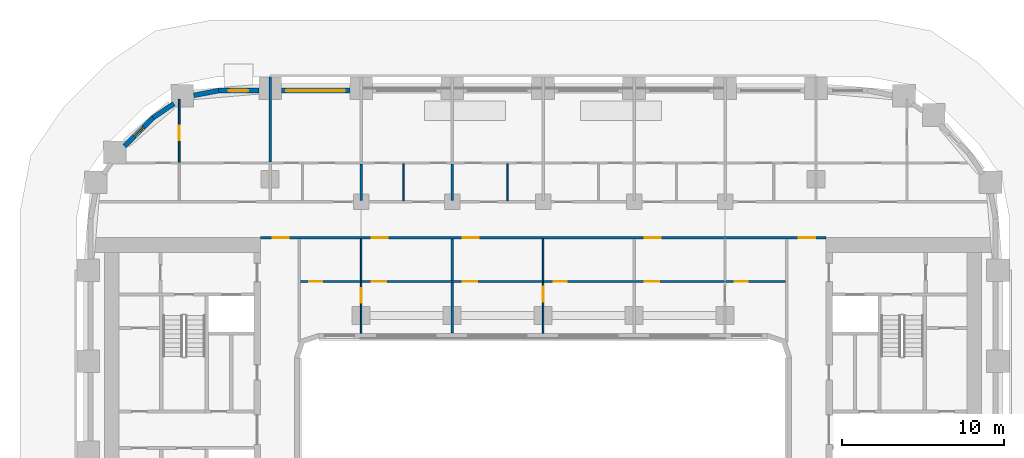
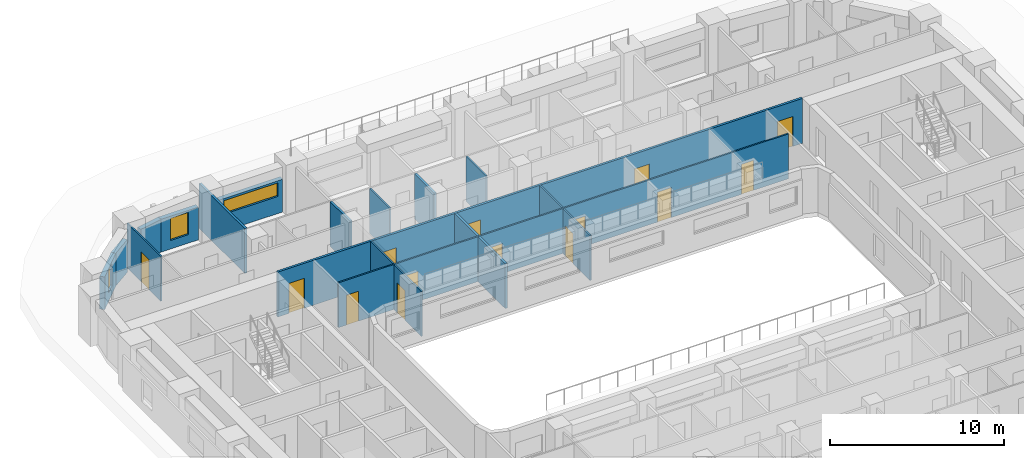
# One storey, part 8 of 18: 19 walls, 14 doors, 3 windows, 17 openings.
"""IFC4 building model written with IfcOpenShell, lengths in metres."""

from ifc_helpers import new_model, si_unit, direction, frame, frame_2d, origin, place, context, subcontext, project, spatial, rectangle, extrude, material, layer, layer_set, type_object, element, fill, save


model = new_model("IFC4")

# Units and contexts
model_context = context("Model", 3, precision=1e-05, world=origin(), true_north=direction((0.0, 1.0)))
body_context = subcontext(model_context, "Body", "Model", "MODEL_VIEW")
ifc_project = project(units=[si_unit("LENGTHUNIT", "METRE"), si_unit("AREAUNIT", "SQUARE_METRE"), si_unit("VOLUMEUNIT", "CUBIC_METRE"), si_unit("PLANEANGLEUNIT", "RADIAN"), si_unit("MASSUNIT", "GRAM", prefix="KILO")], contexts=[model_context])

# Site, building, storey
site_placement = place(None, origin())
site = spatial("IfcSite", under=ifc_project, at=site_placement, CompositionType="ELEMENT")
building_placement = place(site_placement, origin())
building = spatial("IfcBuilding", under=site, at=building_placement, Name="Kiln Ring Residences", CompositionType="ELEMENT")
storey_placement = place(building_placement, frame((0.0, 0.0, 69.0)))
storey = spatial("IfcBuildingStorey", under=building, at=storey_placement, Name="L17", CompositionType="ELEMENT", Elevation=69.0)

# Wall, opening, window
ifc_material_1 = material(Name="Brick masonry, dark clay brick", Category="masonry")
ifc_layer_1 = layer(ifc_material_1, 0.300048828125)
ifc_layer_set_1 = layer_set([ifc_layer_1], Name="EW-300 BRICK WALL")
wall_type_1 = type_object("IfcWallType", Name="EW-300 BRICK WALL", PredefinedType="SOLIDWALL", material=ifc_layer_set_1)
wall_1_placement = place(storey_placement, frame((-11.89990234375, 22.25, 0.0), z_axis=(0.0, 0.0, 1.0), x_axis=(-1.0, 0.0, 0.0)))
wall_1 = element("IfcWall", 1, at=wall_1_placement, inside=storey, type_object=wall_type_1, Name="Facade wall L17 34", PredefinedType="SOLIDWALL", context=body_context, shape_type="SweptSolid", body=[
    extrude(rectangle(XDim=4.2001953125, YDim=0.300048828125, at=frame_2d((2.10009765625, 0.0))), origin(), (0.0, 0.0, 1.0), 2.300048828125),
])
opening_1_placement = place(wall_1_placement, frame((0.300048828125, 0.0, 1.199951171875)))
opening_1 = element("IfcOpeningElement", 2, at=opening_1_placement, cuts=wall_1, Name="Opening W4", PredefinedType="OPENING", context=body_context, shape_type="SweptSolid", body=[
    extrude(rectangle(XDim=3.60009765625, YDim=0.949951171875, at=frame_2d((1.800048828125, 0.47509765625))), frame((0.0, 0.159912109375, 0.0), z_axis=(0.0, -1.0, 0.0), x_axis=(1.0, 0.0, 0.0)), (0.0, 0.0, 1.0), 0.320068359375),
])
ifc_material_2 = material(Name="Aluminium frame with double glazing", Category="aluminium")
window_type_1 = type_object("IfcWindowType", Name="WINDOW 3600 x 950", PartitioningType="SINGLE_PANEL", PredefinedType="WINDOW", material=ifc_material_2)
window_1_placement = place(opening_1_placement, origin())
window_1 = element("IfcWindow", 3, at=window_1_placement, inside=storey, type_object=window_type_1, Name="Window L17 19", OverallHeight=0.949951171875, OverallWidth=3.60009765625, PartitioningType="SINGLE_PANEL", PredefinedType="WINDOW", context=body_context, shape_type="SweptSolid", body=[
    extrude(rectangle(XDim=3.60009765625, YDim=0.949951171875, at=frame_2d((1.800048828125, 0.47509765625))), frame((0.0, 0.030029296875, 0.0), z_axis=(0.0, -1.0, 0.0), x_axis=(1.0, 0.0, 0.0)), (0.0, 0.0, 1.0), 0.06005859375),
])
fill(opening_1, window_1)

wall_2_placement = place(storey_placement, frame((-17.5, 22.25, 0.0), z_axis=(0.0, 0.0, 1.0), x_axis=(-1.0, 0.0, 0.0)))
wall_2 = element("IfcWall", 4, at=wall_2_placement, inside=storey, type_object=wall_type_1, Name="Facade wall L17 35", PredefinedType="SOLIDWALL", context=body_context, shape_type="SweptSolid", body=[
    extrude(rectangle(XDim=2.5, YDim=0.300048828125, at=frame_2d((1.25, 0.0))), origin(), (0.0, 0.0, 1.0), 2.300048828125),
])
opening_2_placement = place(wall_2_placement, frame((0.64990234375, 0.0, 0.60009765625)))
opening_2 = element("IfcOpeningElement", 5, at=opening_2_placement, cuts=wall_2, Name="Opening W1", PredefinedType="OPENING", context=body_context, shape_type="SweptSolid", body=[
    extrude(rectangle(XDim=1.199951171875, YDim=1.550048828125, at=frame_2d((0.60009765625, 0.77490234375))), frame((0.0, 0.159912109375, 0.0), z_axis=(0.0, -1.0, 0.0), x_axis=(1.0, 0.0, 0.0)), (0.0, 0.0, 1.0), 0.320068359375),
])
ifc_material_3 = material(Name="Aluminium frame with double glazing", Category="aluminium")
window_type_2 = type_object("IfcWindowType", Name="WINDOW 1200 x 1550", PartitioningType="SINGLE_PANEL", PredefinedType="WINDOW", material=ifc_material_3)
window_2_placement = place(opening_2_placement, origin())
window_2 = element("IfcWindow", 6, at=window_2_placement, inside=storey, type_object=window_type_2, Name="Window L17 20", OverallHeight=1.550048828125, OverallWidth=1.199951171875, PartitioningType="SINGLE_PANEL", PredefinedType="WINDOW", context=body_context, shape_type="SweptSolid", body=[
    extrude(rectangle(XDim=1.199951171875, YDim=1.550048828125, at=frame_2d((0.60009765625, 0.77490234375))), frame((0.0, 0.030029296875, 0.0), z_axis=(0.0, -1.0, 0.0), x_axis=(1.0, 0.0, 0.0)), (0.0, 0.0, 1.0), 0.06005859375),
])
fill(opening_2, window_2)

# Walls
wall_3_placement = place(storey_placement, frame((-19.971923828125, 22.252685546875, 0.0), z_axis=(0.0, 0.0, 1.0), x_axis=(-0.982297345734, -0.187328386968, 0.0)))
element("IfcWall", 7, at=wall_3_placement, inside=storey, type_object=wall_type_1, Name="Facade wall L17 36", PredefinedType="SOLIDWALL", context=body_context, shape_type="SweptSolid", body=[
    extrude(rectangle(XDim=1.55615234375, YDim=0.300048828125, at=frame_2d((0.778076171875, 0.0))), origin(), (0.0, 0.0, 1.0), 2.300048828125),
])
wall_4_placement = place(storey_placement, frame((-22.725830078125, 21.45361328125, 0.0), z_axis=(0.0, 0.0, 1.0), x_axis=(-0.827019875346, -0.562172683241, 0.0)))
element("IfcWall", 8, at=wall_4_placement, inside=storey, type_object=wall_type_1, Name="Facade wall L17 37", PredefinedType="SOLIDWALL", context=body_context, shape_type="SweptSolid", body=[
    extrude(rectangle(XDim=1.555908203125, YDim=0.300048828125, at=frame_2d((0.77783203125, 0.0))), origin(), (0.0, 0.0, 1.0), 2.300048828125),
])

# Wall, opening, window
wall_5_placement = place(storey_placement, frame((-23.990966796875, 20.596923828125, 0.0), z_axis=(0.0, 0.0, 1.0), x_axis=(-0.707106781187, -0.707106781187, 0.0)))
wall_5 = element("IfcWall", 9, at=wall_5_placement, inside=storey, type_object=wall_type_1, Name="Facade wall L17 38", PredefinedType="SOLIDWALL", context=body_context, shape_type="SweptSolid", body=[
    extrude(rectangle(XDim=2.5, YDim=0.300048828125, at=frame_2d((1.25, 0.0))), origin(), (0.0, 0.0, 1.0), 2.300048828125),
])
opening_3_placement = place(wall_5_placement, frame((0.85009765625, 0.0, 0.60009765625)))
opening_3 = element("IfcOpeningElement", 10, at=opening_3_placement, cuts=wall_5, Name="Opening W5", PredefinedType="OPENING", context=body_context, shape_type="SweptSolid", body=[
    extrude(rectangle(XDim=0.800048828125, YDim=1.550048828125, at=frame_2d((0.39990234375, 0.77490234375))), frame((0.0, 0.159912109375, 0.0), z_axis=(0.0, -1.0, 0.0), x_axis=(1.0, 0.0, 0.0)), (0.0, 0.0, 1.0), 0.320068359375),
])
ifc_material_4 = material(Name="Aluminium frame with double glazing", Category="aluminium")
window_type_3 = type_object("IfcWindowType", Name="WINDOW 800 x 1550", PartitioningType="SINGLE_PANEL", PredefinedType="WINDOW", material=ifc_material_4)
window_3_placement = place(opening_3_placement, origin())
window_3 = element("IfcWindow", 11, at=window_3_placement, inside=storey, type_object=window_type_3, Name="Window L17 21", OverallHeight=1.550048828125, OverallWidth=0.800048828125, PartitioningType="SINGLE_PANEL", PredefinedType="WINDOW", context=body_context, shape_type="SweptSolid", body=[
    extrude(rectangle(XDim=0.800048828125, YDim=1.550048828125, at=frame_2d((0.39990234375, 0.77490234375))), frame((0.0, 0.030029296875, 0.0), z_axis=(0.0, -1.0, 0.0), x_axis=(1.0, 0.0, 0.0)), (0.0, 0.0, 1.0), 0.06005859375),
])
fill(opening_3, window_3)

# Wall, openings, doors
ifc_material_5 = material(Name="Gypsum board on steel studs", Category="steel")
ifc_layer_2 = layer(ifc_material_5, 0.10009765625)
ifc_layer_set_2 = layer_set([ifc_layer_2], Name="PARTITION-100")
wall_type_2 = type_object("IfcWallType", Name="PARTITION-100", PredefinedType="PARTITIONING", material=ifc_layer_set_2)
wall_6_placement = place(storey_placement, frame((-14.925048828125, 10.5, 0.0), z_axis=(0.0, 0.0, 1.0), x_axis=(1.0, 0.0, 0.0)))
wall_6 = element("IfcWall", 12, at=wall_6_placement, inside=storey, type_object=wall_type_2, Name="Partition 004", PredefinedType="PARTITIONING", context=body_context, shape_type="SweptSolid", body=[
    extrude(rectangle(XDim=29.85009765625, YDim=0.10009765625, at=frame_2d((14.925048828125, 0.0))), origin(), (0.0, 0.0, 1.0), 3.14990234375),
])
opening_4_placement = place(wall_6_placement, frame((0.52490234375, 0.0, 0.0)))
opening_4 = element("IfcOpeningElement", 13, at=opening_4_placement, cuts=wall_6, Name="Opening L17-D006", PredefinedType="OPENING", context=body_context, shape_type="SweptSolid", body=[
    extrude(rectangle(XDim=0.800048828125, YDim=2.10009765625, at=frame_2d((0.39990234375, 1.050048828125))), frame((0.0, 0.06005859375, 0.0), z_axis=(0.0, -1.0, 0.0), x_axis=(1.0, 0.0, 0.0)), (0.0, 0.0, 1.0), 0.1201171875),
])
opening_5_placement = place(wall_6_placement, frame((4.375, 0.0, 0.0)))
opening_5 = element("IfcOpeningElement", 14, at=opening_5_placement, cuts=wall_6, Name="Opening L17-D007", PredefinedType="OPENING", context=body_context, shape_type="SweptSolid", body=[
    extrude(rectangle(XDim=0.89990234375, YDim=2.10009765625, at=frame_2d((0.449951171875, 1.050048828125))), frame((0.0, 0.06005859375, 0.0), z_axis=(0.0, -1.0, 0.0), x_axis=(1.0, 0.0, 0.0)), (0.0, 0.0, 1.0), 0.1201171875),
])
opening_6_placement = place(wall_6_placement, frame((15.574951171875, 0.0, 0.0)))
opening_6 = element("IfcOpeningElement", 15, at=opening_6_placement, cuts=wall_6, Name="Opening L17-D010", PredefinedType="OPENING", context=body_context, shape_type="SweptSolid", body=[
    extrude(rectangle(XDim=0.800048828125, YDim=2.10009765625, at=frame_2d((0.39990234375, 1.050048828125))), frame((0.0, 0.06005859375, 0.0), z_axis=(0.0, -1.0, 0.0), x_axis=(1.0, 0.0, 0.0)), (0.0, 0.0, 1.0), 0.1201171875),
])
opening_7_placement = place(wall_6_placement, frame((9.97509765625, 0.0, 0.0)))
opening_7 = element("IfcOpeningElement", 16, at=opening_7_placement, cuts=wall_6, Name="Opening L17-D011", PredefinedType="OPENING", context=body_context, shape_type="SweptSolid", body=[
    extrude(rectangle(XDim=0.89990234375, YDim=2.10009765625, at=frame_2d((0.449951171875, 1.050048828125))), frame((0.0, 0.06005859375, 0.0), z_axis=(0.0, -1.0, 0.0), x_axis=(1.0, 0.0, 0.0)), (0.0, 0.0, 1.0), 0.1201171875),
])
opening_8_placement = place(wall_6_placement, frame((26.72509765625, 0.0, 0.0)))
opening_8 = element("IfcOpeningElement", 17, at=opening_8_placement, cuts=wall_6, Name="Opening L17-D014", PredefinedType="OPENING", context=body_context, shape_type="SweptSolid", body=[
    extrude(rectangle(XDim=0.800048828125, YDim=2.10009765625, at=frame_2d((0.39990234375, 1.050048828125))), frame((0.0, 0.06005859375, 0.0), z_axis=(0.0, -1.0, 0.0), x_axis=(1.0, 0.0, 0.0)), (0.0, 0.0, 1.0), 0.1201171875),
])
opening_9_placement = place(wall_6_placement, frame((21.175048828125, 0.0, 0.0)))
opening_9 = element("IfcOpeningElement", 18, at=opening_9_placement, cuts=wall_6, Name="Opening L17-D015", PredefinedType="OPENING", context=body_context, shape_type="SweptSolid", body=[
    extrude(rectangle(XDim=0.89990234375, YDim=2.10009765625, at=frame_2d((0.449951171875, 1.050048828125))), frame((0.0, 0.06005859375, 0.0), z_axis=(0.0, -1.0, 0.0), x_axis=(1.0, 0.0, 0.0)), (0.0, 0.0, 1.0), 0.1201171875),
])
ifc_material_6 = material(Name="Timber door leaf", Category="wood")
door_type_1 = type_object("IfcDoorType", Name="FLAT-DOOR-800-PL", OperationType="SINGLE_SWING_LEFT", PredefinedType="DOOR", material=ifc_material_6)
door_1_placement = place(opening_4_placement, origin())
door_1 = element("IfcDoor", 19, at=door_1_placement, inside=storey, type_object=door_type_1, Name="Door L17-D006", OperationType="SINGLE_SWING_RIGHT", OverallHeight=2.10009765625, OverallWidth=0.800048828125, PredefinedType="DOOR", context=body_context, shape_type="SweptSolid", body=[
    extrude(rectangle(XDim=0.800048828125, YDim=2.10009765625, at=frame_2d((0.39990234375, 1.050048828125))), frame((0.0, 0.02490234375, 0.0), z_axis=(0.0, -1.0, 0.0), x_axis=(1.0, 0.0, 0.0)), (0.0, 0.0, 1.0), 0.050048828125),
])
fill(opening_4, door_1)
door_2_placement = place(opening_6_placement, origin())
door_2 = element("IfcDoor", 20, at=door_2_placement, inside=storey, type_object=door_type_1, Name="Door L17-D010", OperationType="SINGLE_SWING_RIGHT", OverallHeight=2.10009765625, OverallWidth=0.800048828125, PredefinedType="DOOR", context=body_context, shape_type="SweptSolid", body=[
    extrude(rectangle(XDim=0.800048828125, YDim=2.10009765625, at=frame_2d((0.39990234375, 1.050048828125))), frame((0.0, 0.02490234375, 0.0), z_axis=(0.0, -1.0, 0.0), x_axis=(1.0, 0.0, 0.0)), (0.0, 0.0, 1.0), 0.050048828125),
])
fill(opening_6, door_2)
door_3_placement = place(opening_8_placement, origin())
door_3 = element("IfcDoor", 21, at=door_3_placement, inside=storey, type_object=door_type_1, Name="Door L17-D014", OperationType="SINGLE_SWING_RIGHT", OverallHeight=2.10009765625, OverallWidth=0.800048828125, PredefinedType="DOOR", context=body_context, shape_type="SweptSolid", body=[
    extrude(rectangle(XDim=0.800048828125, YDim=2.10009765625, at=frame_2d((0.39990234375, 1.050048828125))), frame((0.0, 0.02490234375, 0.0), z_axis=(0.0, -1.0, 0.0), x_axis=(1.0, 0.0, 0.0)), (0.0, 0.0, 1.0), 0.050048828125),
])
fill(opening_8, door_3)
ifc_material_7 = material(Name="Timber door leaf", Category="wood")
door_type_2 = type_object("IfcDoorType", Name="FLAT-DOOR-900-PL", OperationType="SINGLE_SWING_LEFT", PredefinedType="DOOR", material=ifc_material_7)
door_4_placement = place(opening_5_placement, origin())
door_4 = element("IfcDoor", 22, at=door_4_placement, inside=storey, type_object=door_type_2, Name="Door L17-D007", OperationType="SINGLE_SWING_LEFT", OverallHeight=2.10009765625, OverallWidth=0.89990234375, PredefinedType="DOOR", context=body_context, shape_type="SweptSolid", body=[
    extrude(rectangle(XDim=0.89990234375, YDim=2.10009765625, at=frame_2d((0.449951171875, 1.050048828125))), frame((0.0, 0.02490234375, 0.0), z_axis=(0.0, -1.0, 0.0), x_axis=(1.0, 0.0, 0.0)), (0.0, 0.0, 1.0), 0.050048828125),
])
fill(opening_5, door_4)
door_5_placement = place(opening_7_placement, origin())
door_5 = element("IfcDoor", 23, at=door_5_placement, inside=storey, type_object=door_type_2, Name="Door L17-D011", OperationType="SINGLE_SWING_LEFT", OverallHeight=2.10009765625, OverallWidth=0.89990234375, PredefinedType="DOOR", context=body_context, shape_type="SweptSolid", body=[
    extrude(rectangle(XDim=0.89990234375, YDim=2.10009765625, at=frame_2d((0.449951171875, 1.050048828125))), frame((0.0, 0.02490234375, 0.0), z_axis=(0.0, -1.0, 0.0), x_axis=(1.0, 0.0, 0.0)), (0.0, 0.0, 1.0), 0.050048828125),
])
fill(opening_7, door_5)
door_6_placement = place(opening_9_placement, origin())
door_6 = element("IfcDoor", 24, at=door_6_placement, inside=storey, type_object=door_type_2, Name="Door L17-D015", OperationType="SINGLE_SWING_LEFT", OverallHeight=2.10009765625, OverallWidth=0.89990234375, PredefinedType="DOOR", context=body_context, shape_type="SweptSolid", body=[
    extrude(rectangle(XDim=0.89990234375, YDim=2.10009765625, at=frame_2d((0.449951171875, 1.050048828125))), frame((0.0, 0.02490234375, 0.0), z_axis=(0.0, -1.0, 0.0), x_axis=(1.0, 0.0, 0.0)), (0.0, 0.0, 1.0), 0.050048828125),
])
fill(opening_9, door_6)

# Wall, opening, door
wall_7_placement = place(storey_placement, frame((-22.39990234375, 17.85009765625, 0.0), z_axis=(0.0, 0.0, 1.0), x_axis=(0.0, 1.0, 0.0)))
wall_7 = element("IfcWall", 25, at=wall_7_placement, inside=storey, type_object=wall_type_2, Name="Partition 011", PredefinedType="PARTITIONING", context=body_context, shape_type="SweptSolid", body=[
    extrude(rectangle(XDim=3.869873046875, YDim=0.10009765625, at=frame_2d((1.93505859375, 0.0))), origin(), (0.0, 0.0, 1.0), 3.14990234375),
])
opening_10_placement = place(wall_7_placement, frame((1.347900390625, 0.0, 0.0)))
opening_10 = element("IfcOpeningElement", 26, at=opening_10_placement, cuts=wall_7, Name="Opening L17-D020", PredefinedType="OPENING", context=body_context, shape_type="SweptSolid", body=[
    extrude(rectangle(XDim=0.89990234375, YDim=2.10009765625, at=frame_2d((0.449951171875, 1.050048828125))), frame((0.0, 0.06005859375, 0.0), z_axis=(0.0, -1.0, 0.0), x_axis=(1.0, 0.0, 0.0)), (0.0, 0.0, 1.0), 0.1201171875),
])
door_7_placement = place(opening_10_placement, origin())
door_7 = element("IfcDoor", 27, at=door_7_placement, inside=storey, type_object=door_type_2, Name="Door L17-D020", OperationType="SINGLE_SWING_RIGHT", OverallHeight=2.10009765625, OverallWidth=0.89990234375, PredefinedType="DOOR", context=body_context, shape_type="SweptSolid", body=[
    extrude(rectangle(XDim=0.89990234375, YDim=2.10009765625, at=frame_2d((0.449951171875, 1.050048828125))), frame((0.0, 0.02490234375, 0.0), z_axis=(0.0, -1.0, 0.0), x_axis=(1.0, 0.0, 0.0)), (0.0, 0.0, 1.0), 0.050048828125),
])
fill(opening_10, door_7)

wall_8_placement = place(storey_placement, frame((-11.199951171875, 7.320068359375, 0.0), z_axis=(0.0, 0.0, 1.0), x_axis=(0.0, 1.0, 0.0)))
wall_8 = element("IfcWall", 28, at=wall_8_placement, inside=storey, type_object=wall_type_2, Name="Partition 022", PredefinedType="PARTITIONING", context=body_context, shape_type="SweptSolid", body=[
    extrude(rectangle(XDim=3.1298828125, YDim=0.10009765625, at=frame_2d((1.56494140625, 0.0))), origin(), (0.0, 0.0, 1.0), 3.14990234375),
])
opening_11_placement = place(wall_8_placement, frame((1.8798828125, 0.0, 0.0)))
opening_11 = element("IfcOpeningElement", 29, at=opening_11_placement, cuts=wall_8, Name="Opening L17-D008", PredefinedType="OPENING", context=body_context, shape_type="SweptSolid", body=[
    extrude(rectangle(XDim=0.89990234375, YDim=2.10009765625, at=frame_2d((0.449951171875, 1.050048828125))), frame((0.0, 0.06005859375, 0.0), z_axis=(0.0, -1.0, 0.0), x_axis=(1.0, 0.0, 0.0)), (0.0, 0.0, 1.0), 0.1201171875),
])
door_8_placement = place(opening_11_placement, origin())
door_8 = element("IfcDoor", 30, at=door_8_placement, inside=storey, type_object=door_type_2, Name="Door L17-D008", OperationType="SINGLE_SWING_LEFT", OverallHeight=2.10009765625, OverallWidth=0.89990234375, PredefinedType="DOOR", context=body_context, shape_type="SweptSolid", body=[
    extrude(rectangle(XDim=0.89990234375, YDim=2.10009765625, at=frame_2d((0.449951171875, 1.050048828125))), frame((0.0, 0.02490234375, 0.0), z_axis=(0.0, -1.0, 0.0), x_axis=(1.0, 0.0, 0.0)), (0.0, 0.0, 1.0), 0.050048828125),
])
fill(opening_11, door_8)

# Walls
wall_9_placement = place(storey_placement, frame((-11.199951171875, 10.550048828125, 0.0), z_axis=(0.0, 0.0, 1.0), x_axis=(0.0, 1.0, 0.0)))
element("IfcWall", 31, at=wall_9_placement, inside=storey, type_object=wall_type_2, Name="Partition 023", PredefinedType="PARTITIONING", context=body_context, shape_type="SweptSolid", body=[
    extrude(rectangle(XDim=2.574951171875, YDim=0.10009765625, at=frame_2d((1.28759765625, 0.0))), origin(), (0.0, 0.0, 1.0), 3.14990234375),
])
for number, where, z_axis, x_axis, name in (
    (32, (-8.60009765625, 15.47509765625, 0.0), (0.0, 0.0, 1.0), (0.0, 1.0, 0.0), "Partition 028"),
    (33, (-2.199951171875, 15.47509765625, 0.0), (0.0, 0.0, 1.0), (0.0, 1.0, 0.0), "Partition 039"),
):
    element("IfcWall", number, at=place(storey_placement, frame(where, z_axis=z_axis, x_axis=x_axis)), inside=storey, type_object=wall_type_2, Name=name, PredefinedType="PARTITIONING", context=body_context, shape_type="SweptSolid", body=[
        extrude(rectangle(XDim=2.27490234375, YDim=0.10009765625, at=frame_2d((1.137451171875, 0.0))), origin(), (0.0, 0.0, 1.0), 3.14990234375),
    ])

# Wall, opening, door
wall_10_placement = place(storey_placement, frame((0.0, 7.320068359375, 0.0), z_axis=(0.0, 0.0, 1.0), x_axis=(0.0, 1.0, 0.0)))
wall_10 = element("IfcWall", 34, at=wall_10_placement, inside=storey, type_object=wall_type_2, Name="Partition 041", PredefinedType="PARTITIONING", context=body_context, shape_type="SweptSolid", body=[
    extrude(rectangle(XDim=3.1298828125, YDim=0.10009765625, at=frame_2d((1.56494140625, 0.0))), origin(), (0.0, 0.0, 1.0), 3.14990234375),
])
opening_12_placement = place(wall_10_placement, frame((1.949951171875, 0.0, 0.0)))
opening_12 = element("IfcOpeningElement", 35, at=opening_12_placement, cuts=wall_10, Name="Opening L17-D012", PredefinedType="OPENING", context=body_context, shape_type="SweptSolid", body=[
    extrude(rectangle(XDim=0.89990234375, YDim=2.10009765625, at=frame_2d((0.449951171875, 1.050048828125))), frame((0.0, 0.06005859375, 0.0), z_axis=(0.0, -1.0, 0.0), x_axis=(1.0, 0.0, 0.0)), (0.0, 0.0, 1.0), 0.1201171875),
])
door_9_placement = place(opening_12_placement, origin())
door_9 = element("IfcDoor", 36, at=door_9_placement, inside=storey, type_object=door_type_2, Name="Door L17-D012", OperationType="SINGLE_SWING_RIGHT", OverallHeight=2.10009765625, OverallWidth=0.89990234375, PredefinedType="DOOR", context=body_context, shape_type="SweptSolid", body=[
    extrude(rectangle(XDim=0.89990234375, YDim=2.10009765625, at=frame_2d((0.449951171875, 1.050048828125))), frame((0.0, 0.02490234375, 0.0), z_axis=(0.0, -1.0, 0.0), x_axis=(1.0, 0.0, 0.0)), (0.0, 0.0, 1.0), 0.050048828125),
])
fill(opening_12, door_9)

# Wall
wall_11_placement = place(storey_placement, frame((0.0, 10.550048828125, 0.0), z_axis=(0.0, 0.0, 1.0), x_axis=(0.0, 1.0, 0.0)))
element("IfcWall", 37, at=wall_11_placement, inside=storey, type_object=wall_type_2, Name="Partition 042", PredefinedType="PARTITIONING", context=body_context, shape_type="SweptSolid", body=[
    extrude(rectangle(XDim=2.574951171875, YDim=0.10009765625, at=frame_2d((1.28759765625, 0.0))), origin(), (0.0, 0.0, 1.0), 3.14990234375),
])

# Wall, openings, doors
ifc_material_8 = material(Name="Brick masonry partition", Category="masonry")
ifc_layer_3 = layer(ifc_material_8, 0.14990234375)
ifc_layer_set_3 = layer_set([ifc_layer_3], Name="PARTITION-150-ei60")
wall_type_3 = type_object("IfcWallType", Name="PARTITION-150-ei60", PredefinedType="PARTITIONING", material=ifc_layer_set_3)
wall_12_placement = place(storey_placement, frame((-17.39990234375, 13.199951171875, 0.0), z_axis=(0.0, 0.0, 1.0), x_axis=(1.0, 0.0, 0.0)))
wall_12 = element("IfcWall", 38, at=wall_12_placement, inside=storey, type_object=wall_type_3, Name="Partition 005", PredefinedType="PARTITIONING", context=body_context, shape_type="SweptSolid", body=[
    extrude(rectangle(XDim=34.7998046875, YDim=0.14990234375, at=frame_2d((17.39990234375, 0.0))), origin(), (0.0, 0.0, 1.0), 3.14990234375),
])
opening_13_placement = place(wall_12_placement, frame((0.75, 0.0, 0.0)))
opening_13 = element("IfcOpeningElement", 39, at=opening_13_placement, cuts=wall_12, Name="Opening L17-D001", PredefinedType="OPENING", context=body_context, shape_type="SweptSolid", body=[
    extrude(rectangle(XDim=1.0, YDim=2.10009765625, at=frame_2d((0.5, 1.050048828125))), frame((0.0, 0.0849609375, 0.0), z_axis=(0.0, -1.0, 0.0), x_axis=(1.0, 0.0, 0.0)), (0.0, 0.0, 1.0), 0.169921875),
])
opening_14_placement = place(wall_12_placement, frame((33.14990234375, 0.0, 0.0)))
opening_14 = element("IfcOpeningElement", 40, at=opening_14_placement, cuts=wall_12, Name="Opening L17-D002", PredefinedType="OPENING", context=body_context, shape_type="SweptSolid", body=[
    extrude(rectangle(XDim=1.0, YDim=2.10009765625, at=frame_2d((0.5, 1.050048828125))), frame((0.0, 0.0849609375, 0.0), z_axis=(0.0, -1.0, 0.0), x_axis=(1.0, 0.0, 0.0)), (0.0, 0.0, 1.0), 0.169921875),
])
opening_15_placement = place(wall_12_placement, frame((6.85009765625, 0.0, 0.0)))
opening_15 = element("IfcOpeningElement", 41, at=opening_15_placement, cuts=wall_12, Name="Opening L17-D005", PredefinedType="OPENING", context=body_context, shape_type="SweptSolid", body=[
    extrude(rectangle(XDim=1.0, YDim=2.10009765625, at=frame_2d((0.5, 1.050048828125))), frame((0.0, 0.0849609375, 0.0), z_axis=(0.0, -1.0, 0.0), x_axis=(1.0, 0.0, 0.0)), (0.0, 0.0, 1.0), 0.169921875),
])
opening_16_placement = place(wall_12_placement, frame((12.449951171875, 0.0, 0.0)))
opening_16 = element("IfcOpeningElement", 42, at=opening_16_placement, cuts=wall_12, Name="Opening L17-D009", PredefinedType="OPENING", context=body_context, shape_type="SweptSolid", body=[
    extrude(rectangle(XDim=1.0, YDim=2.10009765625, at=frame_2d((0.5, 1.050048828125))), frame((0.0, 0.0849609375, 0.0), z_axis=(0.0, -1.0, 0.0), x_axis=(1.0, 0.0, 0.0)), (0.0, 0.0, 1.0), 0.169921875),
])
opening_17_placement = place(wall_12_placement, frame((23.64990234375, 0.0, 0.0)))
opening_17 = element("IfcOpeningElement", 43, at=opening_17_placement, cuts=wall_12, Name="Opening L17-D013", PredefinedType="OPENING", context=body_context, shape_type="SweptSolid", body=[
    extrude(rectangle(XDim=1.0, YDim=2.10009765625, at=frame_2d((0.5, 1.050048828125))), frame((0.0, 0.0849609375, 0.0), z_axis=(0.0, -1.0, 0.0), x_axis=(1.0, 0.0, 0.0)), (0.0, 0.0, 1.0), 0.169921875),
])
ifc_material_9 = material(Name="Steel faced fire door leaf", Category="steel")
door_type_3 = type_object("IfcDoorType", Name="FLAT-DOOR-1000-FR", OperationType="SINGLE_SWING_LEFT", PredefinedType="DOOR", material=ifc_material_9)
door_10_placement = place(opening_13_placement, origin())
door_10 = element("IfcDoor", 44, at=door_10_placement, inside=storey, type_object=door_type_3, Name="Door L17-D001", OperationType="SINGLE_SWING_RIGHT", OverallHeight=2.10009765625, OverallWidth=1.0, PredefinedType="DOOR", context=body_context, shape_type="SweptSolid", body=[
    extrude(rectangle(XDim=1.0, YDim=2.10009765625, at=frame_2d((0.5, 1.050048828125))), frame((0.0, 0.02490234375, 0.0), z_axis=(0.0, -1.0, 0.0), x_axis=(1.0, 0.0, 0.0)), (0.0, 0.0, 1.0), 0.050048828125),
])
fill(opening_13, door_10)
door_11_placement = place(opening_14_placement, origin())
door_11 = element("IfcDoor", 45, at=door_11_placement, inside=storey, type_object=door_type_3, Name="Door L17-D002", OperationType="SINGLE_SWING_LEFT", OverallHeight=2.10009765625, OverallWidth=1.0, PredefinedType="DOOR", context=body_context, shape_type="SweptSolid", body=[
    extrude(rectangle(XDim=1.0, YDim=2.10009765625, at=frame_2d((0.5, 1.050048828125))), frame((0.0, 0.02490234375, 0.0), z_axis=(0.0, -1.0, 0.0), x_axis=(1.0, 0.0, 0.0)), (0.0, 0.0, 1.0), 0.050048828125),
])
fill(opening_14, door_11)
door_12_placement = place(opening_15_placement, origin())
door_12 = element("IfcDoor", 46, at=door_12_placement, inside=storey, type_object=door_type_3, Name="Door L17-D005", OperationType="SINGLE_SWING_LEFT", OverallHeight=2.10009765625, OverallWidth=1.0, PredefinedType="DOOR", context=body_context, shape_type="SweptSolid", body=[
    extrude(rectangle(XDim=1.0, YDim=2.10009765625, at=frame_2d((0.5, 1.050048828125))), frame((0.0, 0.02490234375, 0.0), z_axis=(0.0, -1.0, 0.0), x_axis=(1.0, 0.0, 0.0)), (0.0, 0.0, 1.0), 0.050048828125),
])
fill(opening_15, door_12)
door_13_placement = place(opening_16_placement, origin())
door_13 = element("IfcDoor", 47, at=door_13_placement, inside=storey, type_object=door_type_3, Name="Door L17-D009", OperationType="SINGLE_SWING_LEFT", OverallHeight=2.10009765625, OverallWidth=1.0, PredefinedType="DOOR", context=body_context, shape_type="SweptSolid", body=[
    extrude(rectangle(XDim=1.0, YDim=2.10009765625, at=frame_2d((0.5, 1.050048828125))), frame((0.0, 0.02490234375, 0.0), z_axis=(0.0, -1.0, 0.0), x_axis=(1.0, 0.0, 0.0)), (0.0, 0.0, 1.0), 0.050048828125),
])
fill(opening_16, door_13)
door_14_placement = place(opening_17_placement, origin())
door_14 = element("IfcDoor", 48, at=door_14_placement, inside=storey, type_object=door_type_3, Name="Door L17-D013", OperationType="SINGLE_SWING_LEFT", OverallHeight=2.10009765625, OverallWidth=1.0, PredefinedType="DOOR", context=body_context, shape_type="SweptSolid", body=[
    extrude(rectangle(XDim=1.0, YDim=2.10009765625, at=frame_2d((0.5, 1.050048828125))), frame((0.0, 0.02490234375, 0.0), z_axis=(0.0, -1.0, 0.0), x_axis=(1.0, 0.0, 0.0)), (0.0, 0.0, 1.0), 0.050048828125),
])
fill(opening_17, door_14)

# Walls
wall_13_placement = place(storey_placement, frame((-16.800048828125, 17.85009765625, 0.0), z_axis=(0.0, 0.0, 1.0), x_axis=(0.0, 1.0, 0.0)))
element("IfcWall", 49, at=wall_13_placement, inside=storey, type_object=wall_type_3, Name="Partition 015", PredefinedType="PARTITIONING", context=body_context, shape_type="SweptSolid", body=[
    extrude(rectangle(XDim=5.22998046875, YDim=0.14990234375, at=frame_2d((2.614990234375, 0.0))), origin(), (0.0, 0.0, 1.0), 3.14990234375),
])
wall_14_placement = place(storey_placement, frame((-11.199951171875, 15.47509765625, 0.0), z_axis=(0.0, 0.0, 1.0), x_axis=(0.0, 1.0, 0.0)))
element("IfcWall", 50, at=wall_14_placement, inside=storey, type_object=wall_type_3, Name="Partition 026", PredefinedType="PARTITIONING", context=body_context, shape_type="SweptSolid", body=[
    extrude(rectangle(XDim=2.27490234375, YDim=0.14990234375, at=frame_2d((1.137451171875, 0.0))), origin(), (0.0, 0.0, 1.0), 3.14990234375),
])
wall_15_placement = place(storey_placement, frame((-5.60009765625, 7.320068359375, 0.0), z_axis=(0.0, 0.0, 1.0), x_axis=(0.0, 1.0, 0.0)))
element("IfcWall", 51, at=wall_15_placement, inside=storey, type_object=wall_type_3, Name="Partition 034", PredefinedType="PARTITIONING", context=body_context, shape_type="SweptSolid", body=[
    extrude(rectangle(XDim=3.1298828125, YDim=0.14990234375, at=frame_2d((1.56494140625, 0.0))), origin(), (0.0, 0.0, 1.0), 3.14990234375),
])
wall_16_placement = place(storey_placement, frame((-5.60009765625, 10.550048828125, 0.0), z_axis=(0.0, 0.0, 1.0), x_axis=(0.0, 1.0, 0.0)))
element("IfcWall", 52, at=wall_16_placement, inside=storey, type_object=wall_type_3, Name="Partition 035", PredefinedType="PARTITIONING", context=body_context, shape_type="SweptSolid", body=[
    extrude(rectangle(XDim=2.574951171875, YDim=0.14990234375, at=frame_2d((1.28759765625, 0.0))), origin(), (0.0, 0.0, 1.0), 3.14990234375),
])
wall_17_placement = place(storey_placement, frame((-5.60009765625, 15.47509765625, 0.0), z_axis=(0.0, 0.0, 1.0), x_axis=(0.0, 1.0, 0.0)))
element("IfcWall", 53, at=wall_17_placement, inside=storey, type_object=wall_type_3, Name="Partition 036", PredefinedType="PARTITIONING", context=body_context, shape_type="SweptSolid", body=[
    extrude(rectangle(XDim=2.27490234375, YDim=0.14990234375, at=frame_2d((1.137451171875, 0.0))), origin(), (0.0, 0.0, 1.0), 3.14990234375),
])

save(model, "model.ifc")
